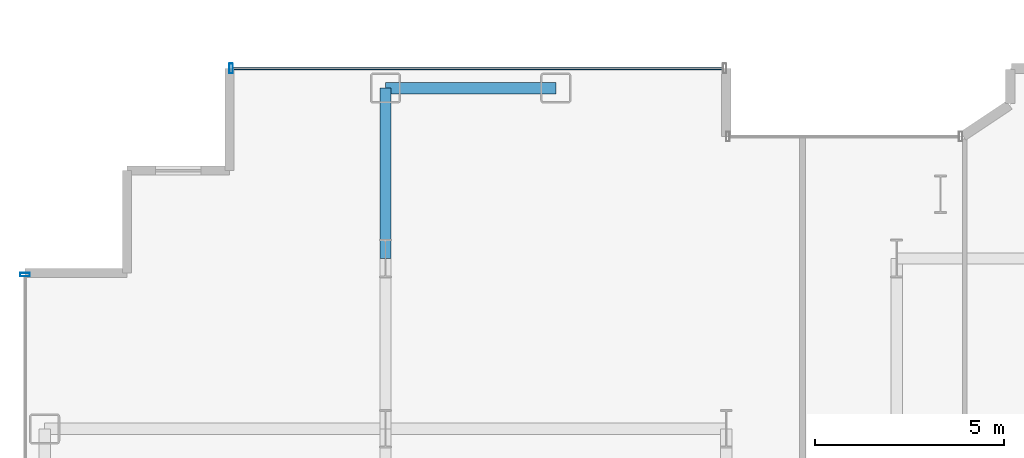
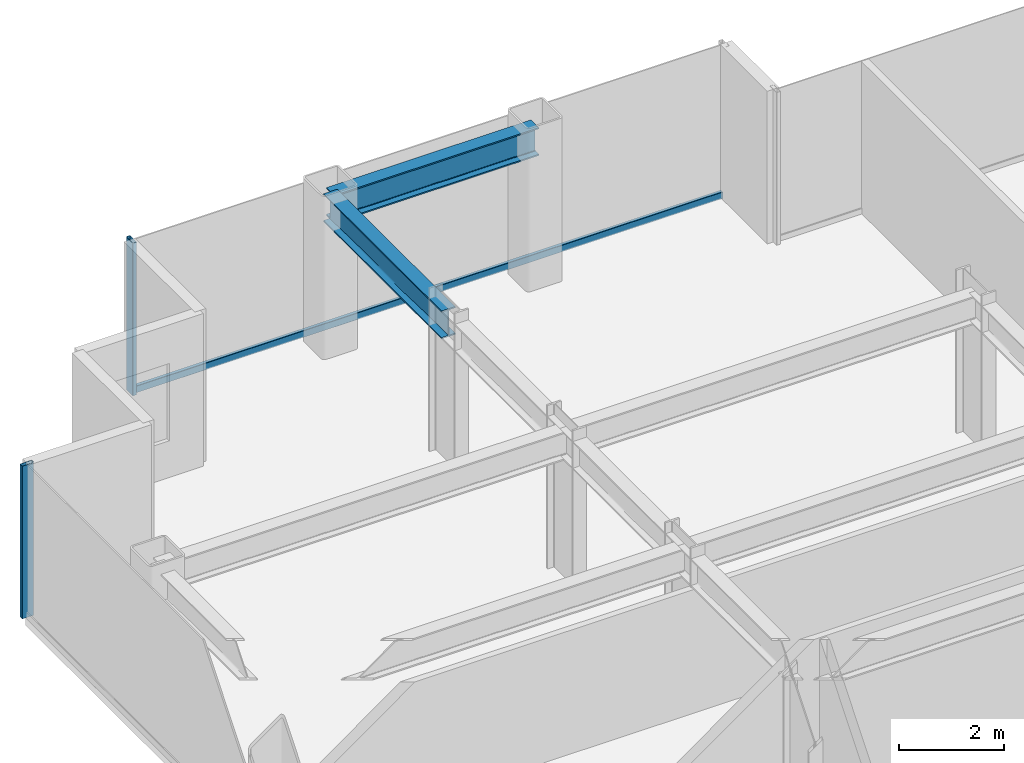
# One storey, part 9 of 26: 3 members, 2 beams, 2 elements without a shape of their own.
"""IFC4 building model written with IfcOpenShell, lengths in metres."""

from ifc_helpers import new_model, si_unit, direction, frame, origin, origin_2d, place, context, subcontext, project, spatial, hollow_rectangle, i_section, extrude, source, transform, mapped, material, layer, layer_set, material_profile, profile_set, type_object, element, aggregate, save


model = new_model("IFC4")

# Units and contexts
model_context = context("Model", 3, precision=1e-05, world=origin(), true_north=direction((0.0, 1.0)))
body_context = subcontext(model_context, "Body", "Model", "MODEL_VIEW")
ifc_project = project(units=[si_unit("LENGTHUNIT", "METRE"), si_unit("AREAUNIT", "SQUARE_METRE"), si_unit("VOLUMEUNIT", "CUBIC_METRE"), si_unit("PLANEANGLEUNIT", "RADIAN"), si_unit("MASSUNIT", "GRAM", prefix="KILO")], contexts=[model_context])

# Site, building, storey
site_placement = place(None, origin())
site = spatial("IfcSite", under=ifc_project, at=site_placement, CompositionType="ELEMENT")
building_placement = place(site_placement, origin())
building = spatial("IfcBuilding", under=site, at=building_placement, Name="Nefas-Gora Pilgrimage Tower", CompositionType="ELEMENT")
storey_placement = place(building_placement, frame((0.0, 0.0, 121.199951171875)))
storey = spatial("IfcBuildingStorey", under=building, at=storey_placement, Name="L29", CompositionType="ELEMENT", Elevation=121.199951171875)

# Beams
ifc_material_1 = material(Name="Steel S355", Category="steel")
ifc_material_profile_1 = material_profile(ifc_material_1, i_section(OverallWidth=0.300048828125, OverallDepth=0.64990234375, WebThickness=0.01611328125, FlangeThickness=0.031005859375, FilletRadius=0.027099609375, at=origin_2d()), Name="HEB 650")
ifc_profile_set_1 = profile_set([ifc_material_profile_1], Name="Steel S355")
beam_type_1 = type_object("IfcBeamType", Name="BM-SPN-HEB500", PredefinedType="SPANDREL", material=ifc_profile_set_1)
shared_shape_1 = source(origin(), body_context, "Body", "SweptSolid", [
    extrude(i_section(OverallWidth=0.300048828125, OverallDepth=0.64990234375, WebThickness=0.01611328125, FlangeThickness=0.031005859375, FilletRadius=0.027099609375, at=origin_2d()), origin(), (0.0, 0.0, 1.0), 4.5),
])
beam_1_placement = place(storey_placement, frame((-24.75, 22.5, 3.22509765625), z_axis=(1.0, 0.0, 0.0), x_axis=(0.0, 1.0, 0.0)))
element("IfcBeam", 1, at=beam_1_placement, inside=storey, type_object=beam_type_1, Name="L29 SP-02 beam", PredefinedType="SPANDREL", context=body_context, shape_type="MappedRepresentation", body=[
    mapped(shared_shape_1, transform((0.0, 0.0, 0.0), x_axis=(1.0, 0.0, 0.0), y_axis=(0.0, 1.0, 0.0), z_axis=(0.0, 0.0, 1.0), scale=1.0)),
])
ifc_material_profile_2 = material_profile(ifc_material_1, i_section(OverallWidth=0.300048828125, OverallDepth=0.64990234375, WebThickness=0.01611328125, FlangeThickness=0.031005859375, FilletRadius=0.027099609375, at=origin_2d()), Name="HEB 650")
ifc_profile_set_2 = profile_set([ifc_material_profile_2], Name="Steel S355")
beam_type_2 = type_object("IfcBeamType", Name="BM-GIR-HEB650", PredefinedType="BEAM", material=ifc_profile_set_2)
shared_shape_2 = source(origin(), body_context, "Body", "SweptSolid", [
    extrude(i_section(OverallWidth=0.300048828125, OverallDepth=0.64990234375, WebThickness=0.01611328125, FlangeThickness=0.031005859375, FilletRadius=0.027099609375, at=origin_2d()), origin(), (0.0, 0.0, 1.0), 4.5),
])
beam_2_placement = place(storey_placement, frame((-24.75, 18.0, 3.22509765625), z_axis=(0.0, 1.0, 0.0), x_axis=(-1.0, 0.0, 0.0)))
element("IfcBeam", 2, at=beam_2_placement, inside=storey, type_object=beam_type_2, Name="L29 G-03 beam", PredefinedType="BEAM", context=body_context, shape_type="MappedRepresentation", body=[
    mapped(shared_shape_2, transform((0.0, 0.0, 0.0), x_axis=(1.0, 0.0, 0.0), y_axis=(0.0, 1.0, 0.0), z_axis=(0.0, 0.0, 1.0), scale=1.0)),
])

# Curtain wall, member
ifc_material_2 = material(Name="Dark ceramic-fritted solar-control aluminium-glass curtain wall", Category="aluminium")
ifc_layer = layer(ifc_material_2, 0.219970703125)
ifc_layer_set = layer_set([ifc_layer], Name="Dark ceramic-fritted solar-control aluminium-glass curtain wall")
curtain_wall_type = type_object("IfcCurtainWallType", Name="CW-SYS-2", PredefinedType="NOTDEFINED", material=ifc_layer_set)
curtain_wall_1_placement = place(storey_placement, origin())
curtain_wall_1 = element("IfcCurtainWall", 3, at=curtain_wall_1_placement, inside=storey, type_object=curtain_wall_type, Name="L29 Unitised Curtain Wall CW2", PredefinedType="NOTDEFINED")
ifc_material_3 = material(Name="Anodised architectural aluminium", Category="aluminium")
ifc_material_profile_3 = material_profile(ifc_material_3, hollow_rectangle(XDim=0.090087890625, YDim=0.260009765625, WallThickness=0.006103515625, InnerFilletRadius=0.006103515625, OuterFilletRadius=0.011962890625, at=origin_2d()), Name="ALU MULLION 90x260")
ifc_profile_set_3 = profile_set([ifc_material_profile_3], Name="Anodised architectural aluminium")
member_type_1 = type_object("IfcMemberType", Name="CWM-MUL-2", PredefinedType="MULLION", material=ifc_profile_set_3)
shared_shape_3 = source(origin(), body_context, "Body", "SweptSolid", [
    extrude(hollow_rectangle(XDim=0.090087890625, YDim=0.260009765625, WallThickness=0.006103515625, InnerFilletRadius=0.006103515625, OuterFilletRadius=0.011962890625, at=origin_2d()), origin(), (0.0, 0.0, 1.0), 3.550048828125),
])
member_1_placement = place(storey_placement, frame((-28.824951171875, 23.02001953125, 0.0), z_axis=(0.0, 0.0, 1.0), x_axis=(-1.0, 0.0, 0.0)))
member_1 = element("IfcMember", 4, at=member_1_placement, type_object=member_type_1, Name="CW2 Mullion 2", PredefinedType="MULLION", context=body_context, shape_type="MappedRepresentation", body=[
    mapped(shared_shape_3, transform((0.0, 0.0, 0.0), x_axis=(1.0, 0.0, 0.0), y_axis=(0.0, 1.0, 0.0), z_axis=(0.0, 0.0, 1.0), scale=1.0)),
])

curtain_wall_2_placement = place(storey_placement, origin())
curtain_wall_2 = element("IfcCurtainWall", 5, at=curtain_wall_2_placement, inside=storey, type_object=curtain_wall_type, Name="L29 Unitised Curtain Wall CW2", PredefinedType="NOTDEFINED")
member_2_placement = place(storey_placement, frame((-34.27001953125, 17.574951171875, 0.0), z_axis=(0.0, 0.0, 1.0), x_axis=(0.0, -1.0, 0.0)))
member_2 = element("IfcMember", 6, at=member_2_placement, type_object=member_type_1, Name="CW2 Mullion 1", PredefinedType="MULLION", context=body_context, shape_type="MappedRepresentation", body=[
    mapped(shared_shape_3, transform((0.0, 0.0, 0.0), x_axis=(1.0, 0.0, 0.0), y_axis=(0.0, 1.0, 0.0), z_axis=(0.0, 0.0, 1.0), scale=1.0)),
])
aggregate(curtain_wall_2, [member_2])

# Member
ifc_material_profile_4 = material_profile(ifc_material_3, hollow_rectangle(XDim=0.080078125, YDim=0.159912109375, WallThickness=0.00439453125, InnerFilletRadius=0.00439453125, OuterFilletRadius=0.009033203125, at=origin_2d()), Name="ALU TRANSOM 80x160")
ifc_profile_set_4 = profile_set([ifc_material_profile_4], Name="Anodised architectural aluminium")
member_type_2 = type_object("IfcMemberType", Name="CWM-TRN-2", PredefinedType="USERDEFINED", material=ifc_profile_set_4)
shared_shape_4 = source(origin(), body_context, "Body", "SweptSolid", [
    extrude(hollow_rectangle(XDim=0.080078125, YDim=0.159912109375, WallThickness=0.00439453125, InnerFilletRadius=0.00439453125, OuterFilletRadius=0.009033203125, at=origin_2d()), origin(), (0.0, 0.0, 1.0), 12.93994140625),
])
member_3_placement = place(storey_placement, frame((-15.840087890625, 23.02001953125, 0.050048828125), z_axis=(-1.0, 0.0, 0.0), x_axis=(0.0, -1.0, 0.0)))
member_3 = element("IfcMember", 7, at=member_3_placement, type_object=member_type_2, Name="CW2 Spandrel Transom", ObjectType="TRANSOM", PredefinedType="USERDEFINED", context=body_context, shape_type="MappedRepresentation", body=[
    mapped(shared_shape_4, transform((0.0, 0.0, 0.0), x_axis=(1.0, 0.0, 0.0), y_axis=(0.0, 1.0, 0.0), z_axis=(0.0, 0.0, 1.0), scale=1.0)),
])

aggregate(curtain_wall_1, [member_1, member_3])

save(model, "model.ifc")
